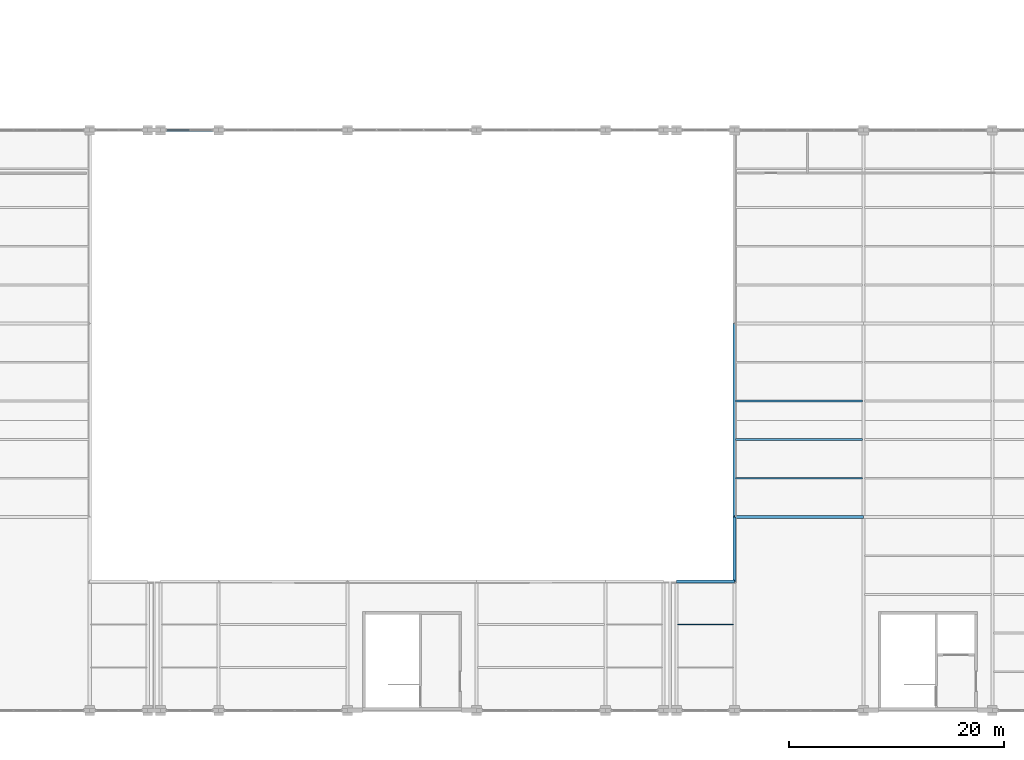
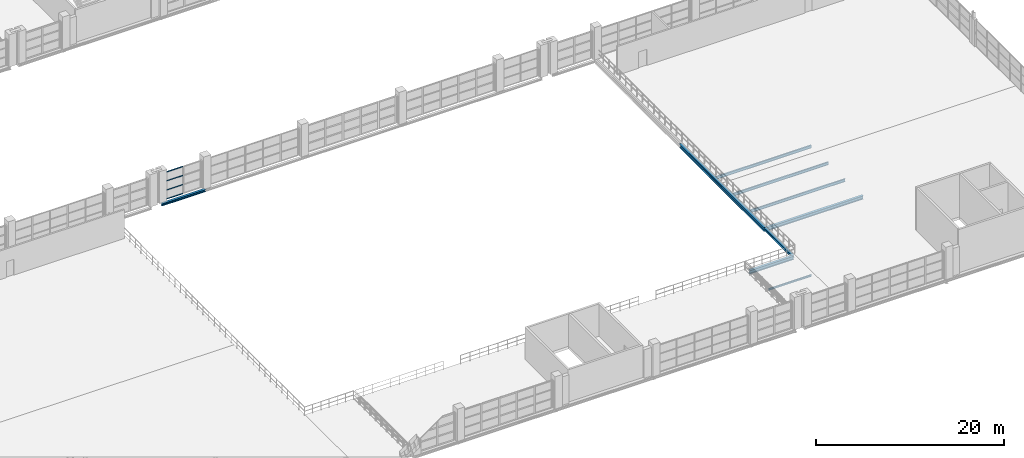
# One storey, part 72 of 158: 9 beams, 4 members, 1 element without a shape of its own.
"""IFC4 building model written with IfcOpenShell, lengths in metres."""

from ifc_helpers import new_model, si_unit, direction, frame, origin, origin_2d, place, context, subcontext, project, spatial, hollow_rectangle, i_section, extrude, material, layer, layer_set, material_profile, profile_set, type_object, element, aggregate, save


model = new_model("IFC4")

# Units and contexts
model_context = context("Model", 3, precision=1e-05, world=origin(), true_north=direction((0.0, 1.0)))
body_context = subcontext(model_context, "Body", "Model", "MODEL_VIEW")
ifc_project = project(units=[si_unit("LENGTHUNIT", "METRE"), si_unit("AREAUNIT", "SQUARE_METRE"), si_unit("VOLUMEUNIT", "CUBIC_METRE"), si_unit("PLANEANGLEUNIT", "RADIAN"), si_unit("MASSUNIT", "GRAM", prefix="KILO")], contexts=[model_context])

# Site, building, storey
site_placement = place(None, origin())
site = spatial("IfcSite", under=ifc_project, at=site_placement, CompositionType="ELEMENT")
building_placement = place(site_placement, origin())
building = spatial("IfcBuilding", under=site, at=building_placement, Name="Zilviju Railside Exhibition Hall", CompositionType="ELEMENT")
storey_placement = place(building_placement, frame((0.0, 0.0, 4.199951171875)))
storey = spatial("IfcBuildingStorey", under=building, at=storey_placement, Name="L02", CompositionType="ELEMENT", Elevation=4.199951171875)

# Beams
ifc_material_1 = material(Name="Steel S355J2", Category="steel")
ifc_material_profile_1 = material_profile(ifc_material_1, i_section(OverallWidth=0.300048828125, OverallDepth=0.2900390625, WebThickness=0.008544921875, FlangeThickness=0.013916015625, at=origin_2d()), Name="HEA 300")
ifc_profile_set_1 = profile_set([ifc_material_profile_1], Name="Steel S355J2")
beam_type_1 = type_object("IfcBeamType", Name="BM-HEA300", PredefinedType="SPANDREL", material=ifc_profile_set_1)
beam_1_placement = place(storey_placement, frame((126.60009765625, 54.0, -0.48486328125), z_axis=(1.0, 0.0, 0.0), x_axis=(0.0, 1.0, 0.0)))
element("IfcBeam", 1, at=beam_1_placement, inside=storey, type_object=beam_type_1, Name="Primary Girder L02 Y=54.0 (126.6..132.0)", PredefinedType="SPANDREL", context=body_context, shape_type="SweptSolid", body=[
    extrude(i_section(OverallWidth=0.300048828125, OverallDepth=0.2900390625, WebThickness=0.008544921875, FlangeThickness=0.013916015625, at=origin_2d()), origin(), (0.0, 0.0, 1.0), 5.39990234375),
])
beam_2_placement = place(storey_placement, frame((180.0, 12.0, -0.474853515625), z_axis=(0.0, 1.0, 0.0), x_axis=(-1.0, 0.0, 0.0)))
element("IfcBeam", 2, at=beam_2_placement, inside=storey, type_object=beam_type_1, Name="Transverse Girder L02 X=180.0 (12.0..18.0)", PredefinedType="SPANDREL", context=body_context, shape_type="SweptSolid", body=[
    extrude(i_section(OverallWidth=0.300048828125, OverallDepth=0.2900390625, WebThickness=0.008544921875, FlangeThickness=0.013916015625, at=origin_2d()), origin(), (0.0, 0.0, 1.0), 6.0),
])
ifc_material_profile_2 = material_profile(ifc_material_1, i_section(OverallWidth=0.300048828125, OverallDepth=0.449951171875, WebThickness=0.013916015625, FlangeThickness=0.02587890625, at=origin_2d()), Name="HEB 450")
ifc_profile_set_2 = profile_set([ifc_material_profile_2], Name="Steel S355J2")
beam_type_2 = type_object("IfcBeamType", Name="BM-HEB450", PredefinedType="BEAM", material=ifc_profile_set_2)
beam_3_placement = place(storey_placement, frame((174.60009765625, 12.0, -0.554931640625), z_axis=(1.0, 0.0, 0.0), x_axis=(0.0, 1.0, 0.0)))
element("IfcBeam", 3, at=beam_3_placement, inside=storey, type_object=beam_type_2, Name="Primary Girder L02 Y=12.0 (174.6..180.0)", PredefinedType="BEAM", context=body_context, shape_type="SweptSolid", body=[
    extrude(i_section(OverallWidth=0.300048828125, OverallDepth=0.449951171875, WebThickness=0.013916015625, FlangeThickness=0.02587890625, at=origin_2d()), origin(), (0.0, 0.0, 1.0), 5.39990234375),
])
beam_4_placement = place(storey_placement, frame((180.0, 18.0, -0.554931640625), z_axis=(1.0, 0.0, 0.0), x_axis=(0.0, 1.0, 0.0)))
element("IfcBeam", 4, at=beam_4_placement, inside=storey, type_object=beam_type_2, Name="Primary Girder L02 Y=18.0 (180.0..192.0)", PredefinedType="BEAM", context=body_context, shape_type="SweptSolid", body=[
    extrude(i_section(OverallWidth=0.300048828125, OverallDepth=0.449951171875, WebThickness=0.013916015625, FlangeThickness=0.02587890625, at=origin_2d()), origin(), (0.0, 0.0, 1.0), 12.0),
])
ifc_material_profile_3 = material_profile(ifc_material_1, i_section(OverallWidth=0.300048828125, OverallDepth=0.5, WebThickness=0.014404296875, FlangeThickness=0.028076171875, at=origin_2d()), Name="HEB 500")
ifc_profile_set_3 = profile_set([ifc_material_profile_3], Name="Steel S355J2")
beam_type_3 = type_object("IfcBeamType", Name="BM-HEB500", PredefinedType="BEAM", material=ifc_profile_set_3)
beam_5_placement = place(storey_placement, frame((180.0, 18.0, -0.579833984375), z_axis=(0.0, 1.0, 0.0), x_axis=(-1.0, 0.0, 0.0)))
element("IfcBeam", 5, at=beam_5_placement, inside=storey, type_object=beam_type_3, Name="Transverse Girder L02 X=180.0 (18.0..36.0)", PredefinedType="BEAM", context=body_context, shape_type="SweptSolid", body=[
    extrude(i_section(OverallWidth=0.300048828125, OverallDepth=0.5, WebThickness=0.014404296875, FlangeThickness=0.028076171875, at=origin_2d()), origin(), (0.0, 0.0, 1.0), 18.0),
])
ifc_material_profile_4 = material_profile(ifc_material_1, i_section(OverallWidth=0.1201171875, OverallDepth=0.239990234375, WebThickness=0.006103515625, FlangeThickness=0.009765625, at=origin_2d()), Name="IPE 240")
ifc_profile_set_4 = profile_set([ifc_material_profile_4], Name="Steel S355J2")
beam_type_4 = type_object("IfcBeamType", Name="BM-IPE240", PredefinedType="JOIST", material=ifc_profile_set_4)
beam_6_placement = place(storey_placement, frame((174.679931640625, 8.0, -0.449951171875), z_axis=(1.0, 0.0, 0.0), x_axis=(0.0, 1.0, 0.0)))
element("IfcBeam", 6, at=beam_6_placement, inside=storey, type_object=beam_type_4, Name="Composite Floor Joist L02 Y=8.00 (174.6..180.0)", PredefinedType="JOIST", context=body_context, shape_type="SweptSolid", body=[
    extrude(i_section(OverallWidth=0.1201171875, OverallDepth=0.239990234375, WebThickness=0.006103515625, FlangeThickness=0.009765625, at=origin_2d()), origin(), (0.0, 0.0, 1.0), 5.239990234375),
])
ifc_material_profile_5 = material_profile(ifc_material_1, i_section(OverallWidth=0.169921875, OverallDepth=0.360107421875, WebThickness=0.008056640625, FlangeThickness=0.0126953125, at=origin_2d()), Name="IPE 360")
ifc_profile_set_5 = profile_set([ifc_material_profile_5], Name="Steel S355J2")
beam_type_5 = type_object("IfcBeamType", Name="BM-IPE360", PredefinedType="JOIST", material=ifc_profile_set_5)
for number, where, z_axis, x_axis, name in (
    (7, (180.080078125, 21.60009765625, -0.510009765625), (1.0, 0.0, 0.0), (0.0, 1.0, 0.0), "Composite Floor Joist L02 Y=21.60 (180.0..192.0)"),
    (8, (180.080078125, 25.199951171875, -0.510009765625), (1.0, 0.0, 0.0), (0.0, 1.0, 0.0), "Composite Floor Joist L02 Y=25.20 (180.0..192.0)"),
    (9, (180.080078125, 28.800048828125, -0.510009765625), (1.0, 0.0, 0.0), (0.0, 1.0, 0.0), "Composite Floor Joist L02 Y=28.80 (180.0..192.0)"),
):
    element("IfcBeam", number, at=place(storey_placement, frame(where, z_axis=z_axis, x_axis=x_axis)), inside=storey, type_object=beam_type_5, Name=name, PredefinedType="JOIST", context=body_context, shape_type="SweptSolid", body=[
        extrude(i_section(OverallWidth=0.169921875, OverallDepth=0.360107421875, WebThickness=0.008056640625, FlangeThickness=0.0126953125, at=origin_2d()), origin(), (0.0, 0.0, 1.0), 11.83984375),
    ])

# Curtain wall, members
ifc_material_2 = material(Name="Thermally broken aluminium-steel triple-glazed curtain wall", Category="steel")
ifc_layer = layer(ifc_material_2, 0.179931640625)
ifc_layer_set = layer_set([ifc_layer], Name="Thermally broken aluminium-steel triple-glazed curtain wall")
curtain_wall_type = type_object("IfcCurtainWallType", Name="CW-BAY-20", PredefinedType="USERDEFINED", material=ifc_layer_set)
curtain_wall_placement = place(storey_placement, origin())
curtain_wall = element("IfcCurtainWall", 10, at=curtain_wall_placement, inside=storey, type_object=curtain_wall_type, Name="South Hall Garden Court Curtain Wall L02 (127..132)", ObjectType="GLAZED CURTAIN WALL", PredefinedType="USERDEFINED")
ifc_material_3 = material(Name="Thermally broken anodized aluminium transom", Category="aluminium")
ifc_material_profile_6 = material_profile(ifc_material_3, hollow_rectangle(XDim=0.06494140625, YDim=0.1298828125, WallThickness=0.0048828125, at=origin_2d()), Name="TRANSOM 130x65x5")
ifc_profile_set_6 = profile_set([ifc_material_profile_6], Name="Thermally broken anodized aluminium transom")
member_type = type_object("IfcMemberType", Name="CWT-65x130", PredefinedType="USERDEFINED", material=ifc_profile_set_6)
member_1_placement = place(storey_placement, frame((127.215087890625, 54.0, 0.032470703125), z_axis=(1.0, 0.0, 0.0), x_axis=(0.0, 1.0, 0.0)))
member_1 = element("IfcMember", 11, at=member_1_placement, type_object=member_type, Name="CW-20 transom 1.1", ObjectType="TRANSOM", PredefinedType="USERDEFINED", context=body_context, shape_type="SweptSolid", body=[
    extrude(hollow_rectangle(XDim=0.06494140625, YDim=0.1298828125, WallThickness=0.0048828125, at=origin_2d()), origin(), (0.0, 0.0, 1.0), 2.052490234375),
])
member_2_placement = place(storey_placement, frame((127.215087890625, 54.0, 1.18701171875), z_axis=(1.0, 0.0, 0.0), x_axis=(0.0, 1.0, 0.0)))
member_2 = element("IfcMember", 12, at=member_2_placement, type_object=member_type, Name="CW-20 transom 1.2", ObjectType="TRANSOM", PredefinedType="USERDEFINED", context=body_context, shape_type="SweptSolid", body=[
    extrude(hollow_rectangle(XDim=0.06494140625, YDim=0.1298828125, WallThickness=0.0048828125, at=origin_2d()), origin(), (0.0, 0.0, 1.0), 2.052490234375),
])
member_3_placement = place(storey_placement, frame((127.215087890625, 54.0, 2.373046875), z_axis=(1.0, 0.0, 0.0), x_axis=(0.0, 1.0, 0.0)))
member_3 = element("IfcMember", 13, at=member_3_placement, type_object=member_type, Name="CW-20 transom 1.3", ObjectType="TRANSOM", PredefinedType="USERDEFINED", context=body_context, shape_type="SweptSolid", body=[
    extrude(hollow_rectangle(XDim=0.06494140625, YDim=0.1298828125, WallThickness=0.0048828125, at=origin_2d()), origin(), (0.0, 0.0, 1.0), 2.052490234375),
])
member_4_placement = place(storey_placement, frame((127.215087890625, 54.0, 3.527587890625), z_axis=(1.0, 0.0, 0.0), x_axis=(0.0, 1.0, 0.0)))
member_4 = element("IfcMember", 14, at=member_4_placement, type_object=member_type, Name="CW-20 transom 1.4", ObjectType="TRANSOM", PredefinedType="USERDEFINED", context=body_context, shape_type="SweptSolid", body=[
    extrude(hollow_rectangle(XDim=0.06494140625, YDim=0.1298828125, WallThickness=0.0048828125, at=origin_2d()), origin(), (0.0, 0.0, 1.0), 2.052490234375),
])
aggregate(curtain_wall, [member_1, member_2, member_3, member_4])

save(model, "model.ifc")
